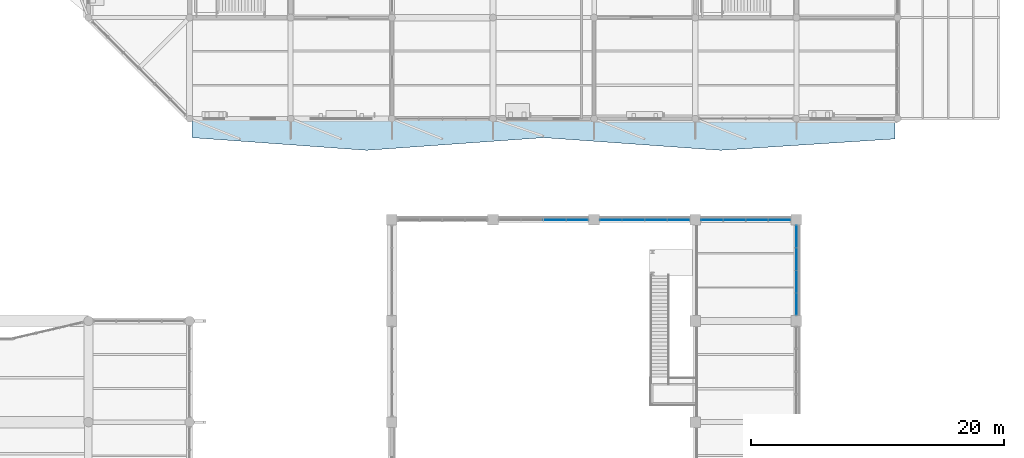
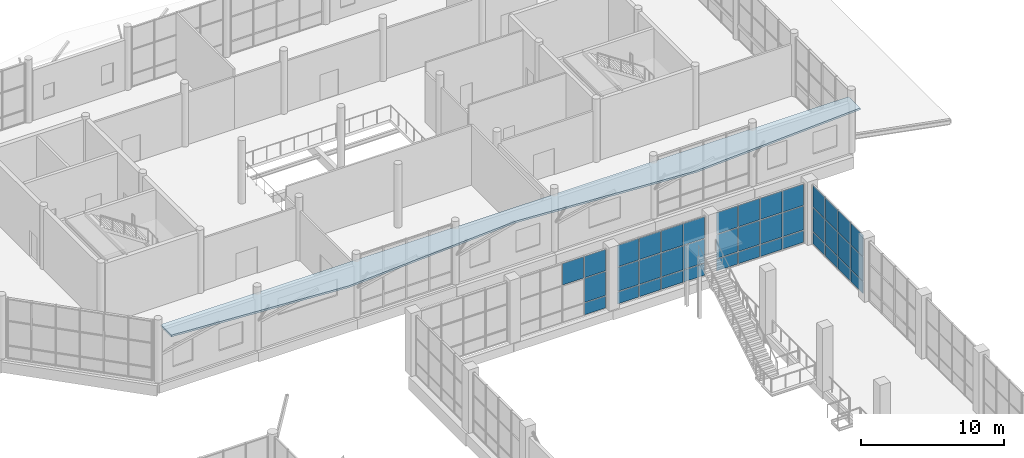
# One storey, part 95 of 122: 40 plates, 1 slab, 4 elements without a shape of their own.
"""IFC4 building model written with IfcOpenShell, lengths in metres."""

import ifcopenshell
import ifcopenshell.guid

model = None  # the IFC model being written
_history = None  # IfcOwnerHistory: only IFC2X3 demands one
_inside = {}  # id of a spatial element -> (the spatial element, [elements in it])
_under = {}  # id of a project, library or spatial element -> (it, [spatial elements below it])
_declared = {}  # id of a project -> (the project, [libraries it declares])
_typed = {}  # id of a type object -> (the type object, [elements of that type])
_made_of = {}  # id of a material, layer set ... -> (it, [elements and type objects made of it])


def new_model(schema):
    """Start an empty IFC model of exactly this schema.

    Asked for "IFC4X3", IfcOpenShell would pick the latest addendum, in which some entities
    have other attributes; the version numbers below select the first issue.
    IFC2X3 requires an IfcOwnerHistory on every rooted entity: one is made here for all.
    """
    global model, _history
    if schema == "IFC4X3":
        model = ifcopenshell.file(schema_version=(4, 3, 0, 0))
    else:
        model = ifcopenshell.file(schema=schema)
    _inside.clear()
    _under.clear()
    _declared.clear()
    _typed.clear()
    _made_of.clear()
    _history = None
    if model.schema == "IFC2X3":
        org = make("IfcOrganization", Name="unknown")
        user = make(
            "IfcPersonAndOrganization",
            ThePerson=make("IfcPerson", FamilyName="unknown"),
            TheOrganization=org,
        )
        app = make(
            "IfcApplication",
            ApplicationDeveloper=org,
            Version="unknown",
            ApplicationFullName="unknown",
            ApplicationIdentifier="unknown",
        )
        _history = make(
            "IfcOwnerHistory",
            OwningUser=user,
            OwningApplication=app,
            ChangeAction="ADDED",
            CreationDate=0,
        )
    return model


def make(cls, **values):
    """One entity of the class cls with the attributes given. An attribute that is None is left unset."""
    return model.create_entity(
        cls, **{name: value for name, value in values.items() if value is not None}
    )


def rooted(cls, **values):
    """An entity with a GlobalId (a new one), such as an element, a storey or a relation."""
    return make(cls, GlobalId=ifcopenshell.guid.new(), OwnerHistory=_history, **values)


def si_unit(unit_type, name, prefix=None):
    """IfcSIUnit, for example si_unit("LENGTHUNIT", "METRE", prefix="MILLI")."""
    return make("IfcSIUnit", UnitType=unit_type, Prefix=prefix, Name=name)


def assignment(units):
    """IfcUnitAssignment: the units of a project."""
    return None if units is None else make("IfcUnitAssignment", Units=units)


def point(xyz):
    """IfcCartesianPoint."""
    return None if xyz is None else make("IfcCartesianPoint", Coordinates=xyz)


def direction(xyz):
    """IfcDirection."""
    return None if xyz is None else make("IfcDirection", DirectionRatios=xyz)


def frame(location, z_axis=None, x_axis=None):
    """IfcAxis2Placement3D, a coordinate frame: its origin and axes. An axis left out is left unset."""
    return make(
        "IfcAxis2Placement3D",
        Location=point(location),
        Axis=direction(z_axis),
        RefDirection=direction(x_axis),
    )


def frame_2d(location, x_axis=None):
    """IfcAxis2Placement2D, a coordinate frame in the plane: its origin and x axis."""
    return make(
        "IfcAxis2Placement2D", Location=point(location), RefDirection=direction(x_axis)
    )


def origin():
    """The frame at (0, 0, 0) with its axes left unset."""
    return frame((0.0, 0.0, 0.0))


def origin_2d():
    """The frame at (0, 0) in the plane with its x axis left unset."""
    return frame_2d((0.0, 0.0))


def place(relative_to, where):
    """IfcLocalPlacement: puts the frame where relative to a parent placement (None: the world)."""
    return make(
        "IfcLocalPlacement", PlacementRelTo=relative_to, RelativePlacement=where
    )


def context(
    kind, dimensions, precision=None, world=None, true_north=None, identifier=None
):
    """IfcGeometricRepresentationContext, for example the 3D "Model" context."""
    return make(
        "IfcGeometricRepresentationContext",
        ContextIdentifier=identifier,
        ContextType=kind,
        CoordinateSpaceDimension=dimensions,
        Precision=precision,
        WorldCoordinateSystem=world,
        TrueNorth=true_north,
    )


def subcontext(parent, identifier, kind, view, scale=None):
    """IfcGeometricRepresentationSubContext, for example "Body" below "Model"."""
    return make(
        "IfcGeometricRepresentationSubContext",
        ContextIdentifier=identifier,
        ContextType=kind,
        ParentContext=parent,
        TargetScale=scale,
        TargetView=view,
    )


def project(units=None, contexts=None):
    """IfcProject with its units and contexts."""
    return rooted(
        "IfcProject",
        Name="project",
        RepresentationContexts=contexts,
        UnitsInContext=assignment(units),
    )


def spatial(cls, under=None, at=None, **own):
    """A site, building, storey or space (cls), placed at a placement, below another one or the project."""
    s = rooted(cls, ObjectPlacement=at, **own)
    if under is not None:
        _under.setdefault(under.id(), (under, []))[1].append(s)
    return s


def polyline(points):
    """IfcPolyline through the points."""
    return make("IfcPolyline", Points=[point(p) for p in points])


def profile(cls, at=None, kind="AREA", **sizes):
    """A parametric profile (cls). Its sizes go by their IFC names, for example OverallWidth=200.0."""
    return make(cls, ProfileType=kind, Position=at, **sizes)


def rectangle(**sizes):
    """IfcRectangleProfileDef."""
    return profile("IfcRectangleProfileDef", **sizes)


def outline(outer, holes=None, kind="AREA"):
    """IfcArbitraryClosedProfileDef: a profile drawn as a closed curve; with holes, ...WithVoids."""
    if holes is None:
        return make("IfcArbitraryClosedProfileDef", ProfileType=kind, OuterCurve=outer)
    return make(
        "IfcArbitraryProfileDefWithVoids",
        ProfileType=kind,
        OuterCurve=outer,
        InnerCurves=holes,
    )


def extrude(swept, where, along, depth):
    """IfcExtrudedAreaSolid: the profile swept, set in the frame where, extruded along a direction by depth."""
    return make(
        "IfcExtrudedAreaSolid",
        SweptArea=swept,
        Position=where,
        ExtrudedDirection=direction(along),
        Depth=depth,
    )


def shape(context_of_items, identifier, shape_type, items):
    """IfcShapeRepresentation: the items that make up one representation, for example the "Body"."""
    return make(
        "IfcShapeRepresentation",
        ContextOfItems=context_of_items,
        RepresentationIdentifier=identifier,
        RepresentationType=shape_type,
        Items=items,
    )


def material(Name=None, Category=None):
    """IfcMaterial."""
    return make("IfcMaterial", Name=Name, Category=Category)


def layer(
    of_material, thickness, ventilated=None, Name=None, Category=None, Priority=None
):
    """IfcMaterialLayer: one layer of a wall or slab, of a material (None: an air gap)."""
    return make(
        "IfcMaterialLayer",
        Material=of_material,
        LayerThickness=thickness,
        IsVentilated=ventilated,
        Name=Name,
        Category=Category,
        Priority=Priority,
    )


def layer_set(layers, Name=None):
    """IfcMaterialLayerSet."""
    return make("IfcMaterialLayerSet", MaterialLayers=layers, LayerSetName=Name)


def made_of(thing, what):
    """Note that an element or type object is made of a material, layer set ...; save() writes the relation."""
    if what is not None:
        _made_of.setdefault(what.id(), (what, []))[1].append(thing)
    return thing


def type_object(cls, material=None, **own):
    """A type object (cls), such as IfcWallType, which elements share."""
    return made_of(rooted(cls, **own), material)


def element(
    cls,
    number,
    at=None,
    inside=None,
    cuts=None,
    type_object=None,
    material=None,
    context=None,
    identifier="Body",
    shape_type=None,
    held_by="IfcProductDefinitionShape",
    body=None,
    shapes=None,
    **own,
):
    """One element of the class cls, such as IfcWall. Its Tag is "e" and its number.

    at: its placement. inside: the storey or other place that contains it. cuts: it is an
    opening in that element (IfcRelVoidsElement). A single representation is given by context,
    identifier, shape_type and body (its items); several are given by shapes. held_by: the class
    of the entity that holds the representations. save() writes the other relations.
    """
    e = rooted(cls, Tag="e%d" % number, ObjectPlacement=at, **own)
    if body is not None:
        shapes = [shape(context, identifier, shape_type, body)]
    if shapes is not None:
        e.Representation = make(held_by, Representations=shapes)
    if inside is not None:
        _inside.setdefault(inside.id(), (inside, []))[1].append(e)
    if cuts is not None:
        rooted(
            "IfcRelVoidsElement", RelatingBuildingElement=cuts, RelatedOpeningElement=e
        )
    if type_object is not None:
        _typed.setdefault(type_object.id(), (type_object, []))[1].append(e)
    return made_of(e, material)


def aggregate(whole, parts):
    """IfcRelAggregates: a whole, such as a stair, and the parts it consists of."""
    return rooted("IfcRelAggregates", RelatingObject=whole, RelatedObjects=parts)


def save(model, path):
    """Write the relations noted so far, then the file.

    IfcRelAggregates (storeys below a building ...), IfcRelContainedInSpatialStructure (elements
    in a storey), IfcRelDefinesByType, IfcRelAssociatesMaterial and IfcRelDeclares: one each for
    every whole, place, type object, material and project.
    """
    for whole, parts in _under.values():
        aggregate(whole, parts)
    for where, things in _inside.values():
        rooted(
            "IfcRelContainedInSpatialStructure",
            RelatedElements=things,
            RelatingStructure=where,
        )
    for kind, things in _typed.values():
        rooted("IfcRelDefinesByType", RelatedObjects=things, RelatingType=kind)
    for what, things in _made_of.values():
        rooted("IfcRelAssociatesMaterial", RelatedObjects=things, RelatingMaterial=what)
    for by, libraries in _declared.values():
        rooted("IfcRelDeclares", RelatingContext=by, RelatedDefinitions=libraries)
    model.write(path)


model = new_model("IFC4")

# Units and contexts
model_context = context("Model", 3, precision=1e-05, world=origin(), true_north=direction((0.0, 1.0)))
body_context = subcontext(model_context, "Body", "Model", "MODEL_VIEW")
ifc_project = project(units=[si_unit("LENGTHUNIT", "METRE"), si_unit("AREAUNIT", "SQUARE_METRE"), si_unit("VOLUMEUNIT", "CUBIC_METRE"), si_unit("PLANEANGLEUNIT", "RADIAN"), si_unit("MASSUNIT", "GRAM", prefix="KILO")], contexts=[model_context])

# Site, building, storey
site_placement = place(None, origin())
site = spatial("IfcSite", under=ifc_project, at=site_placement, CompositionType="ELEMENT")
building_placement = place(site_placement, origin())
building = spatial("IfcBuilding", under=site, at=building_placement, Name="Tenunan Teduh Sports Hall", CompositionType="ELEMENT")
storey_placement = place(building_placement, frame((0.0, 0.0, 5.39990234375)))
storey = spatial("IfcBuildingStorey", under=building, at=storey_placement, Name="L01", CompositionType="ELEMENT", Elevation=5.39990234375)

# Curtain wall, plates
ifc_material_1 = material(Name="Anodised aluminium", Category="aluminium")
curtain_wall_type = type_object("IfcCurtainWallType", Name="CW-UNIT-1", PredefinedType="NOTDEFINED", material=ifc_material_1)
curtain_wall_1_placement = place(storey_placement, origin())
curtain_wall_1 = element("IfcCurtainWall", 1, at=curtain_wall_1_placement, inside=storey, type_object=curtain_wall_type, Name="CW-CWM-175-L01-118", PredefinedType="NOTDEFINED")
ifc_material_2 = material(Name="Low-E laminated double glazing", Category="glass")
ifc_layer_1 = layer(ifc_material_2, 0.028076171875)
ifc_layer_set_1 = layer_set([ifc_layer_1], Name="Low-E laminated double glazing")
plate_type_1 = type_object("IfcPlateType", Name="CWP-GLZ-28", PredefinedType="CURTAIN_PANEL", material=ifc_layer_set_1)
plate_1_placement = place(storey_placement, frame((134.893798828125, 78.0, 3.232421875), z_axis=(0.0, 0.0, 1.0), x_axis=(1.0, 0.0, 0.0)))
plate_1 = element("IfcPlate", 2, at=plate_1_placement, type_object=plate_type_1, Name="CW-01 panel 3.3", PredefinedType="CURTAIN_PANEL", context=body_context, shape_type="SweptSolid", body=[
    extrude(rectangle(XDim=1.722412109375, YDim=0.028076171875, at=origin_2d()), origin(), (0.0, 0.0, 1.0), 1.822509765625),
])
plate_2_placement = place(storey_placement, frame((136.6650390625, 78.0, 1.1328125), z_axis=(0.0, 0.0, 1.0), x_axis=(1.0, 0.0, 0.0)))
plate_2 = element("IfcPlate", 3, at=plate_2_placement, type_object=plate_type_1, Name="CW-01 panel 4.2", PredefinedType="CURTAIN_PANEL", context=body_context, shape_type="SweptSolid", body=[
    extrude(rectangle(XDim=1.68994140625, YDim=0.028076171875, at=origin_2d()), origin(), (0.0, 0.0, 1.0), 2.034912109375),
])
plate_3_placement = place(storey_placement, frame((136.6650390625, 78.0, 3.232421875), z_axis=(0.0, 0.0, 1.0), x_axis=(1.0, 0.0, 0.0)))
plate_3 = element("IfcPlate", 4, at=plate_3_placement, type_object=plate_type_1, Name="CW-01 panel 4.3", PredefinedType="CURTAIN_PANEL", context=body_context, shape_type="SweptSolid", body=[
    extrude(rectangle(XDim=1.68994140625, YDim=0.028076171875, at=origin_2d()), origin(), (0.0, 0.0, 1.0), 1.822509765625),
])

curtain_wall_2_placement = place(storey_placement, origin())
curtain_wall_2 = element("IfcCurtainWall", 5, at=curtain_wall_2_placement, inside=storey, type_object=curtain_wall_type, Name="CW-CWM-200-L01-120", PredefinedType="NOTDEFINED")
plate_4_placement = place(storey_placement, frame((147.336181640625, 78.0, 1.13525390625), z_axis=(0.0, 0.0, 1.0), x_axis=(1.0, 0.0, 0.0)))
plate_4 = element("IfcPlate", 6, at=plate_4_placement, type_object=plate_type_1, Name="CW-01 panel 1.2", PredefinedType="CURTAIN_PANEL", context=body_context, shape_type="SweptSolid", body=[
    extrude(rectangle(XDim=1.6826171875, YDim=0.028076171875, at=origin_2d()), origin(), (0.0, 0.0, 1.0), 2.030029296875),
])
plate_5_placement = place(storey_placement, frame((147.336181640625, 78.0, 3.235107421875), z_axis=(0.0, 0.0, 1.0), x_axis=(1.0, 0.0, 0.0)))
plate_5 = element("IfcPlate", 7, at=plate_5_placement, type_object=plate_type_1, Name="CW-01 panel 1.3", PredefinedType="CURTAIN_PANEL", context=body_context, shape_type="SweptSolid", body=[
    extrude(rectangle(XDim=1.6826171875, YDim=0.028076171875, at=origin_2d()), origin(), (0.0, 0.0, 1.0), 1.81494140625),
])
plate_6_placement = place(storey_placement, frame((149.106201171875, 78.0, 1.13525390625), z_axis=(0.0, 0.0, 1.0), x_axis=(1.0, 0.0, 0.0)))
plate_6 = element("IfcPlate", 8, at=plate_6_placement, type_object=plate_type_1, Name="CW-01 panel 2.2", PredefinedType="CURTAIN_PANEL", context=body_context, shape_type="SweptSolid", body=[
    extrude(rectangle(XDim=1.717529296875, YDim=0.028076171875, at=origin_2d()), origin(), (0.0, 0.0, 1.0), 2.030029296875),
])
plate_7_placement = place(storey_placement, frame((149.106201171875, 78.0, 3.235107421875), z_axis=(0.0, 0.0, 1.0), x_axis=(1.0, 0.0, 0.0)))
plate_7 = element("IfcPlate", 9, at=plate_7_placement, type_object=plate_type_1, Name="CW-01 panel 2.3", PredefinedType="CURTAIN_PANEL", context=body_context, shape_type="SweptSolid", body=[
    extrude(rectangle(XDim=1.717529296875, YDim=0.028076171875, at=origin_2d()), origin(), (0.0, 0.0, 1.0), 1.81494140625),
])
plate_8_placement = place(storey_placement, frame((150.893798828125, 78.0, 1.13525390625), z_axis=(0.0, 0.0, 1.0), x_axis=(1.0, 0.0, 0.0)))
plate_8 = element("IfcPlate", 10, at=plate_8_placement, type_object=plate_type_1, Name="CW-01 panel 3.2", PredefinedType="CURTAIN_PANEL", context=body_context, shape_type="SweptSolid", body=[
    extrude(rectangle(XDim=1.717529296875, YDim=0.028076171875, at=origin_2d()), origin(), (0.0, 0.0, 1.0), 2.030029296875),
])
plate_9_placement = place(storey_placement, frame((150.893798828125, 78.0, 3.235107421875), z_axis=(0.0, 0.0, 1.0), x_axis=(1.0, 0.0, 0.0)))
plate_9 = element("IfcPlate", 11, at=plate_9_placement, type_object=plate_type_1, Name="CW-01 panel 3.3", PredefinedType="CURTAIN_PANEL", context=body_context, shape_type="SweptSolid", body=[
    extrude(rectangle(XDim=1.717529296875, YDim=0.028076171875, at=origin_2d()), origin(), (0.0, 0.0, 1.0), 1.81494140625),
])
plate_10_placement = place(storey_placement, frame((152.663818359375, 78.0, 1.13525390625), z_axis=(0.0, 0.0, 1.0), x_axis=(1.0, 0.0, 0.0)))
plate_10 = element("IfcPlate", 12, at=plate_10_placement, type_object=plate_type_1, Name="CW-01 panel 4.2", PredefinedType="CURTAIN_PANEL", context=body_context, shape_type="SweptSolid", body=[
    extrude(rectangle(XDim=1.6826171875, YDim=0.028076171875, at=origin_2d()), origin(), (0.0, 0.0, 1.0), 2.030029296875),
])
plate_11_placement = place(storey_placement, frame((152.663818359375, 78.0, 3.235107421875), z_axis=(0.0, 0.0, 1.0), x_axis=(1.0, 0.0, 0.0)))
plate_11 = element("IfcPlate", 13, at=plate_11_placement, type_object=plate_type_1, Name="CW-01 panel 4.3", PredefinedType="CURTAIN_PANEL", context=body_context, shape_type="SweptSolid", body=[
    extrude(rectangle(XDim=1.6826171875, YDim=0.028076171875, at=origin_2d()), origin(), (0.0, 0.0, 1.0), 1.81494140625),
])

curtain_wall_3_placement = place(storey_placement, origin())
curtain_wall_3 = element("IfcCurtainWall", 14, at=curtain_wall_3_placement, inside=storey, type_object=curtain_wall_type, Name="CW-CWM-150-L01-119", PredefinedType="NOTDEFINED")
ifc_material_3 = material(Name="Solar-control laminated glazing", Category="glass")
ifc_layer_2 = layer(ifc_material_3, 0.031982421875)
ifc_layer_set_2 = layer_set([ifc_layer_2], Name="Solar-control laminated glazing")
plate_type_2 = type_object("IfcPlateType", Name="CWP-GLZ-32", PredefinedType="CURTAIN_PANEL", material=ifc_layer_set_2)
plate_12_placement = place(storey_placement, frame((139.333740234375, 78.0, 1.130126953125), z_axis=(0.0, 0.0, 1.0), x_axis=(1.0, 0.0, 0.0)))
plate_12 = element("IfcPlate", 15, at=plate_12_placement, type_object=plate_type_2, Name="CW-01 panel 1.2", PredefinedType="CURTAIN_PANEL", context=body_context, shape_type="SweptSolid", body=[
    extrude(rectangle(XDim=1.697509765625, YDim=0.031982421875, at=origin_2d()), origin(), (0.0, 0.0, 1.0), 2.0400390625),
])
plate_13_placement = place(storey_placement, frame((139.333740234375, 78.0, 3.22998046875), z_axis=(0.0, 0.0, 1.0), x_axis=(1.0, 0.0, 0.0)))
plate_13 = element("IfcPlate", 16, at=plate_13_placement, type_object=plate_type_2, Name="CW-01 panel 1.3", PredefinedType="CURTAIN_PANEL", context=body_context, shape_type="SweptSolid", body=[
    extrude(rectangle(XDim=1.697509765625, YDim=0.031982421875, at=origin_2d()), origin(), (0.0, 0.0, 1.0), 1.830078125),
])
plate_14_placement = place(storey_placement, frame((141.106201171875, 78.0, 1.130126953125), z_axis=(0.0, 0.0, 1.0), x_axis=(1.0, 0.0, 0.0)))
plate_14 = element("IfcPlate", 17, at=plate_14_placement, type_object=plate_type_2, Name="CW-01 panel 2.2", PredefinedType="CURTAIN_PANEL", context=body_context, shape_type="SweptSolid", body=[
    extrude(rectangle(XDim=1.7275390625, YDim=0.031982421875, at=origin_2d()), origin(), (0.0, 0.0, 1.0), 2.0400390625),
])
plate_15_placement = place(storey_placement, frame((141.106201171875, 78.0, 3.22998046875), z_axis=(0.0, 0.0, 1.0), x_axis=(1.0, 0.0, 0.0)))
plate_15 = element("IfcPlate", 18, at=plate_15_placement, type_object=plate_type_2, Name="CW-01 panel 2.3", PredefinedType="CURTAIN_PANEL", context=body_context, shape_type="SweptSolid", body=[
    extrude(rectangle(XDim=1.7275390625, YDim=0.031982421875, at=origin_2d()), origin(), (0.0, 0.0, 1.0), 1.830078125),
])
plate_16_placement = place(storey_placement, frame((142.893798828125, 78.0, 1.130126953125), z_axis=(0.0, 0.0, 1.0), x_axis=(1.0, 0.0, 0.0)))
plate_16 = element("IfcPlate", 19, at=plate_16_placement, type_object=plate_type_2, Name="CW-01 panel 3.2", PredefinedType="CURTAIN_PANEL", context=body_context, shape_type="SweptSolid", body=[
    extrude(rectangle(XDim=1.7275390625, YDim=0.031982421875, at=origin_2d()), origin(), (0.0, 0.0, 1.0), 2.0400390625),
])
plate_17_placement = place(storey_placement, frame((142.893798828125, 78.0, 3.22998046875), z_axis=(0.0, 0.0, 1.0), x_axis=(1.0, 0.0, 0.0)))
plate_17 = element("IfcPlate", 20, at=plate_17_placement, type_object=plate_type_2, Name="CW-01 panel 3.3", PredefinedType="CURTAIN_PANEL", context=body_context, shape_type="SweptSolid", body=[
    extrude(rectangle(XDim=1.7275390625, YDim=0.031982421875, at=origin_2d()), origin(), (0.0, 0.0, 1.0), 1.830078125),
])
plate_18_placement = place(storey_placement, frame((144.666259765625, 78.0, 1.130126953125), z_axis=(0.0, 0.0, 1.0), x_axis=(1.0, 0.0, 0.0)))
plate_18 = element("IfcPlate", 21, at=plate_18_placement, type_object=plate_type_2, Name="CW-01 panel 4.2", PredefinedType="CURTAIN_PANEL", context=body_context, shape_type="SweptSolid", body=[
    extrude(rectangle(XDim=1.697509765625, YDim=0.031982421875, at=origin_2d()), origin(), (0.0, 0.0, 1.0), 2.0400390625),
])
plate_19_placement = place(storey_placement, frame((144.666259765625, 78.0, 3.22998046875), z_axis=(0.0, 0.0, 1.0), x_axis=(1.0, 0.0, 0.0)))
plate_19 = element("IfcPlate", 22, at=plate_19_placement, type_object=plate_type_2, Name="CW-01 panel 4.3", PredefinedType="CURTAIN_PANEL", context=body_context, shape_type="SweptSolid", body=[
    extrude(rectangle(XDim=1.697509765625, YDim=0.031982421875, at=origin_2d()), origin(), (0.0, 0.0, 1.0), 1.830078125),
])

curtain_wall_4_placement = place(storey_placement, origin())
curtain_wall_4 = element("IfcCurtainWall", 23, at=curtain_wall_4_placement, inside=storey, type_object=curtain_wall_type, Name="CW-CWM-150-L01-127", PredefinedType="NOTDEFINED")
plate_20_placement = place(storey_placement, frame((154.0, 71.333740234375, 1.130126953125), z_axis=(0.0, 0.0, 1.0), x_axis=(0.0, 1.0, 0.0)))
plate_20 = element("IfcPlate", 24, at=plate_20_placement, type_object=plate_type_2, Name="CW-01 panel 1.2", PredefinedType="CURTAIN_PANEL", context=body_context, shape_type="SweptSolid", body=[
    extrude(rectangle(XDim=1.697509765625, YDim=0.031982421875, at=origin_2d()), origin(), (0.0, 0.0, 1.0), 2.0400390625),
])
plate_21_placement = place(storey_placement, frame((154.0, 71.333740234375, 3.22998046875), z_axis=(0.0, 0.0, 1.0), x_axis=(0.0, 1.0, 0.0)))
plate_21 = element("IfcPlate", 25, at=plate_21_placement, type_object=plate_type_2, Name="CW-01 panel 1.3", PredefinedType="CURTAIN_PANEL", context=body_context, shape_type="SweptSolid", body=[
    extrude(rectangle(XDim=1.697509765625, YDim=0.031982421875, at=origin_2d()), origin(), (0.0, 0.0, 1.0), 1.830078125),
])
plate_22_placement = place(storey_placement, frame((154.0, 73.106201171875, 1.130126953125), z_axis=(0.0, 0.0, 1.0), x_axis=(0.0, 1.0, 0.0)))
plate_22 = element("IfcPlate", 26, at=plate_22_placement, type_object=plate_type_2, Name="CW-01 panel 2.2", PredefinedType="CURTAIN_PANEL", context=body_context, shape_type="SweptSolid", body=[
    extrude(rectangle(XDim=1.7275390625, YDim=0.031982421875, at=origin_2d()), origin(), (0.0, 0.0, 1.0), 2.0400390625),
])
plate_23_placement = place(storey_placement, frame((154.0, 73.106201171875, 3.22998046875), z_axis=(0.0, 0.0, 1.0), x_axis=(0.0, 1.0, 0.0)))
plate_23 = element("IfcPlate", 27, at=plate_23_placement, type_object=plate_type_2, Name="CW-01 panel 2.3", PredefinedType="CURTAIN_PANEL", context=body_context, shape_type="SweptSolid", body=[
    extrude(rectangle(XDim=1.7275390625, YDim=0.031982421875, at=origin_2d()), origin(), (0.0, 0.0, 1.0), 1.830078125),
])
plate_24_placement = place(storey_placement, frame((154.0, 74.893798828125, 1.130126953125), z_axis=(0.0, 0.0, 1.0), x_axis=(0.0, 1.0, 0.0)))
plate_24 = element("IfcPlate", 28, at=plate_24_placement, type_object=plate_type_2, Name="CW-01 panel 3.2", PredefinedType="CURTAIN_PANEL", context=body_context, shape_type="SweptSolid", body=[
    extrude(rectangle(XDim=1.7275390625, YDim=0.031982421875, at=origin_2d()), origin(), (0.0, 0.0, 1.0), 2.0400390625),
])
plate_25_placement = place(storey_placement, frame((154.0, 74.893798828125, 3.22998046875), z_axis=(0.0, 0.0, 1.0), x_axis=(0.0, 1.0, 0.0)))
plate_25 = element("IfcPlate", 29, at=plate_25_placement, type_object=plate_type_2, Name="CW-01 panel 3.3", PredefinedType="CURTAIN_PANEL", context=body_context, shape_type="SweptSolid", body=[
    extrude(rectangle(XDim=1.7275390625, YDim=0.031982421875, at=origin_2d()), origin(), (0.0, 0.0, 1.0), 1.830078125),
])
plate_26_placement = place(storey_placement, frame((154.0, 76.666259765625, 1.130126953125), z_axis=(0.0, 0.0, 1.0), x_axis=(0.0, 1.0, 0.0)))
plate_26 = element("IfcPlate", 30, at=plate_26_placement, type_object=plate_type_2, Name="CW-01 panel 4.2", PredefinedType="CURTAIN_PANEL", context=body_context, shape_type="SweptSolid", body=[
    extrude(rectangle(XDim=1.697509765625, YDim=0.031982421875, at=origin_2d()), origin(), (0.0, 0.0, 1.0), 2.0400390625),
])
plate_27_placement = place(storey_placement, frame((154.0, 76.666259765625, 3.22998046875), z_axis=(0.0, 0.0, 1.0), x_axis=(0.0, 1.0, 0.0)))
plate_27 = element("IfcPlate", 31, at=plate_27_placement, type_object=plate_type_2, Name="CW-01 panel 4.3", PredefinedType="CURTAIN_PANEL", context=body_context, shape_type="SweptSolid", body=[
    extrude(rectangle(XDim=1.697509765625, YDim=0.031982421875, at=origin_2d()), origin(), (0.0, 0.0, 1.0), 1.830078125),
])

# Plate
ifc_material_4 = material(Name="Insulated aluminium spandrel panel", Category="aluminium")
ifc_layer_3 = layer(ifc_material_4, 0.044921875)
ifc_layer_set_3 = layer_set([ifc_layer_3], Name="Insulated aluminium spandrel panel")
plate_type_3 = type_object("IfcPlateType", Name="CWP-SPN-45", PredefinedType="CURTAIN_PANEL", material=ifc_layer_set_3)
plate_28_placement = place(storey_placement, frame((136.6650390625, 78.0, 0.065185546875), z_axis=(0.0, 0.0, 1.0), x_axis=(1.0, 0.0, 0.0)))
plate_28 = element("IfcPlate", 32, at=plate_28_placement, type_object=plate_type_3, Name="CW-01 panel 4.1", PredefinedType="CURTAIN_PANEL", context=body_context, shape_type="SweptSolid", body=[
    extrude(rectangle(XDim=1.68994140625, YDim=0.028076171875, at=origin_2d()), origin(), (0.0, 0.0, 1.0), 1.00244140625),
])

aggregate(curtain_wall_1, [plate_1, plate_28, plate_2, plate_3])

plate_29_placement = place(storey_placement, frame((139.333740234375, 78.0, 0.06005859375), z_axis=(0.0, 0.0, 1.0), x_axis=(1.0, 0.0, 0.0)))
plate_29 = element("IfcPlate", 33, at=plate_29_placement, type_object=plate_type_3, Name="CW-01 panel 1.1", PredefinedType="CURTAIN_PANEL", context=body_context, shape_type="SweptSolid", body=[
    extrude(rectangle(XDim=1.697509765625, YDim=0.031982421875, at=origin_2d()), origin(), (0.0, 0.0, 1.0), 1.010009765625),
])

plate_30_placement = place(storey_placement, frame((141.106201171875, 78.0, 0.06005859375), z_axis=(0.0, 0.0, 1.0), x_axis=(1.0, 0.0, 0.0)))
plate_30 = element("IfcPlate", 34, at=plate_30_placement, type_object=plate_type_3, Name="CW-01 panel 2.1", PredefinedType="CURTAIN_PANEL", context=body_context, shape_type="SweptSolid", body=[
    extrude(rectangle(XDim=1.7275390625, YDim=0.031982421875, at=origin_2d()), origin(), (0.0, 0.0, 1.0), 1.010009765625),
])

plate_31_placement = place(storey_placement, frame((142.893798828125, 78.0, 0.06005859375), z_axis=(0.0, 0.0, 1.0), x_axis=(1.0, 0.0, 0.0)))
plate_31 = element("IfcPlate", 35, at=plate_31_placement, type_object=plate_type_3, Name="CW-01 panel 3.1", PredefinedType="CURTAIN_PANEL", context=body_context, shape_type="SweptSolid", body=[
    extrude(rectangle(XDim=1.7275390625, YDim=0.031982421875, at=origin_2d()), origin(), (0.0, 0.0, 1.0), 1.010009765625),
])

plate_32_placement = place(storey_placement, frame((144.666259765625, 78.0, 0.06005859375), z_axis=(0.0, 0.0, 1.0), x_axis=(1.0, 0.0, 0.0)))
plate_32 = element("IfcPlate", 36, at=plate_32_placement, type_object=plate_type_3, Name="CW-01 panel 4.1", PredefinedType="CURTAIN_PANEL", context=body_context, shape_type="SweptSolid", body=[
    extrude(rectangle(XDim=1.697509765625, YDim=0.031982421875, at=origin_2d()), origin(), (0.0, 0.0, 1.0), 1.010009765625),
])

aggregate(curtain_wall_3, [plate_29, plate_12, plate_13, plate_30, plate_14, plate_15, plate_31, plate_16, plate_17, plate_32, plate_18, plate_19])

plate_33_placement = place(storey_placement, frame((147.336181640625, 78.0, 0.070068359375), z_axis=(0.0, 0.0, 1.0), x_axis=(1.0, 0.0, 0.0)))
plate_33 = element("IfcPlate", 37, at=plate_33_placement, type_object=plate_type_3, Name="CW-01 panel 1.1", PredefinedType="CURTAIN_PANEL", context=body_context, shape_type="SweptSolid", body=[
    extrude(rectangle(XDim=1.6826171875, YDim=0.028076171875, at=origin_2d()), origin(), (0.0, 0.0, 1.0), 0.9951171875),
])

plate_34_placement = place(storey_placement, frame((149.106201171875, 78.0, 0.070068359375), z_axis=(0.0, 0.0, 1.0), x_axis=(1.0, 0.0, 0.0)))
plate_34 = element("IfcPlate", 38, at=plate_34_placement, type_object=plate_type_3, Name="CW-01 panel 2.1", PredefinedType="CURTAIN_PANEL", context=body_context, shape_type="SweptSolid", body=[
    extrude(rectangle(XDim=1.717529296875, YDim=0.028076171875, at=origin_2d()), origin(), (0.0, 0.0, 1.0), 0.9951171875),
])

plate_35_placement = place(storey_placement, frame((150.893798828125, 78.0, 0.070068359375), z_axis=(0.0, 0.0, 1.0), x_axis=(1.0, 0.0, 0.0)))
plate_35 = element("IfcPlate", 39, at=plate_35_placement, type_object=plate_type_3, Name="CW-01 panel 3.1", PredefinedType="CURTAIN_PANEL", context=body_context, shape_type="SweptSolid", body=[
    extrude(rectangle(XDim=1.717529296875, YDim=0.028076171875, at=origin_2d()), origin(), (0.0, 0.0, 1.0), 0.9951171875),
])

plate_36_placement = place(storey_placement, frame((152.663818359375, 78.0, 0.070068359375), z_axis=(0.0, 0.0, 1.0), x_axis=(1.0, 0.0, 0.0)))
plate_36 = element("IfcPlate", 40, at=plate_36_placement, type_object=plate_type_3, Name="CW-01 panel 4.1", PredefinedType="CURTAIN_PANEL", context=body_context, shape_type="SweptSolid", body=[
    extrude(rectangle(XDim=1.6826171875, YDim=0.028076171875, at=origin_2d()), origin(), (0.0, 0.0, 1.0), 0.9951171875),
])

aggregate(curtain_wall_2, [plate_33, plate_4, plate_5, plate_34, plate_6, plate_7, plate_35, plate_8, plate_9, plate_36, plate_10, plate_11])

plate_37_placement = place(storey_placement, frame((154.0, 71.333740234375, 0.06005859375), z_axis=(0.0, 0.0, 1.0), x_axis=(0.0, 1.0, 0.0)))
plate_37 = element("IfcPlate", 41, at=plate_37_placement, type_object=plate_type_3, Name="CW-01 panel 1.1", PredefinedType="CURTAIN_PANEL", context=body_context, shape_type="SweptSolid", body=[
    extrude(rectangle(XDim=1.697509765625, YDim=0.031982421875, at=origin_2d()), origin(), (0.0, 0.0, 1.0), 1.010009765625),
])

plate_38_placement = place(storey_placement, frame((154.0, 73.106201171875, 0.06005859375), z_axis=(0.0, 0.0, 1.0), x_axis=(0.0, 1.0, 0.0)))
plate_38 = element("IfcPlate", 42, at=plate_38_placement, type_object=plate_type_3, Name="CW-01 panel 2.1", PredefinedType="CURTAIN_PANEL", context=body_context, shape_type="SweptSolid", body=[
    extrude(rectangle(XDim=1.7275390625, YDim=0.031982421875, at=origin_2d()), origin(), (0.0, 0.0, 1.0), 1.010009765625),
])

plate_39_placement = place(storey_placement, frame((154.0, 74.893798828125, 0.06005859375), z_axis=(0.0, 0.0, 1.0), x_axis=(0.0, 1.0, 0.0)))
plate_39 = element("IfcPlate", 43, at=plate_39_placement, type_object=plate_type_3, Name="CW-01 panel 3.1", PredefinedType="CURTAIN_PANEL", context=body_context, shape_type="SweptSolid", body=[
    extrude(rectangle(XDim=1.7275390625, YDim=0.031982421875, at=origin_2d()), origin(), (0.0, 0.0, 1.0), 1.010009765625),
])

plate_40_placement = place(storey_placement, frame((154.0, 76.666259765625, 0.06005859375), z_axis=(0.0, 0.0, 1.0), x_axis=(0.0, 1.0, 0.0)))
plate_40 = element("IfcPlate", 44, at=plate_40_placement, type_object=plate_type_3, Name="CW-01 panel 4.1", PredefinedType="CURTAIN_PANEL", context=body_context, shape_type="SweptSolid", body=[
    extrude(rectangle(XDim=1.697509765625, YDim=0.031982421875, at=origin_2d()), origin(), (0.0, 0.0, 1.0), 1.010009765625),
])

aggregate(curtain_wall_4, [plate_37, plate_20, plate_21, plate_38, plate_22, plate_23, plate_39, plate_24, plate_25, plate_40, plate_26, plate_27])

# Slab
ifc_material_5 = material(Name="Concrete C40/50", Category="concrete")
ifc_layer_4 = layer(ifc_material_5, 0.159912109375)
ifc_layer_set_4 = layer_set([ifc_layer_4], Name="Concrete C40/50")
slab_type = type_object("IfcSlabType", Name="SLB-ROOF-160", PredefinedType="ROOF", material=ifc_layer_set_4)
slab_placement = place(storey_placement, frame((0.0, 0.0, 4.590087890625)))
element("IfcSlab", 45, at=slab_placement, inside=storey, type_object=slab_type, Name="Window Head Sun-Shade Hood SHD-RIB-V5E-S-L01", PredefinedType="ROOF", context=body_context, shape_type="SweptSolid", body=[
    extrude(outline(polyline([(106.199951171875, 86.0), (161.800048828125, 86.0), (161.800048828125, 84.39990234375), (148.0, 83.5), (134.0, 84.5), (120.0, 83.5), (106.199951171875, 84.5), (106.199951171875, 86.0)])), origin(), (0.0, 0.0, 1.0), 0.159912109375),
])

save(model, "model.ifc")
